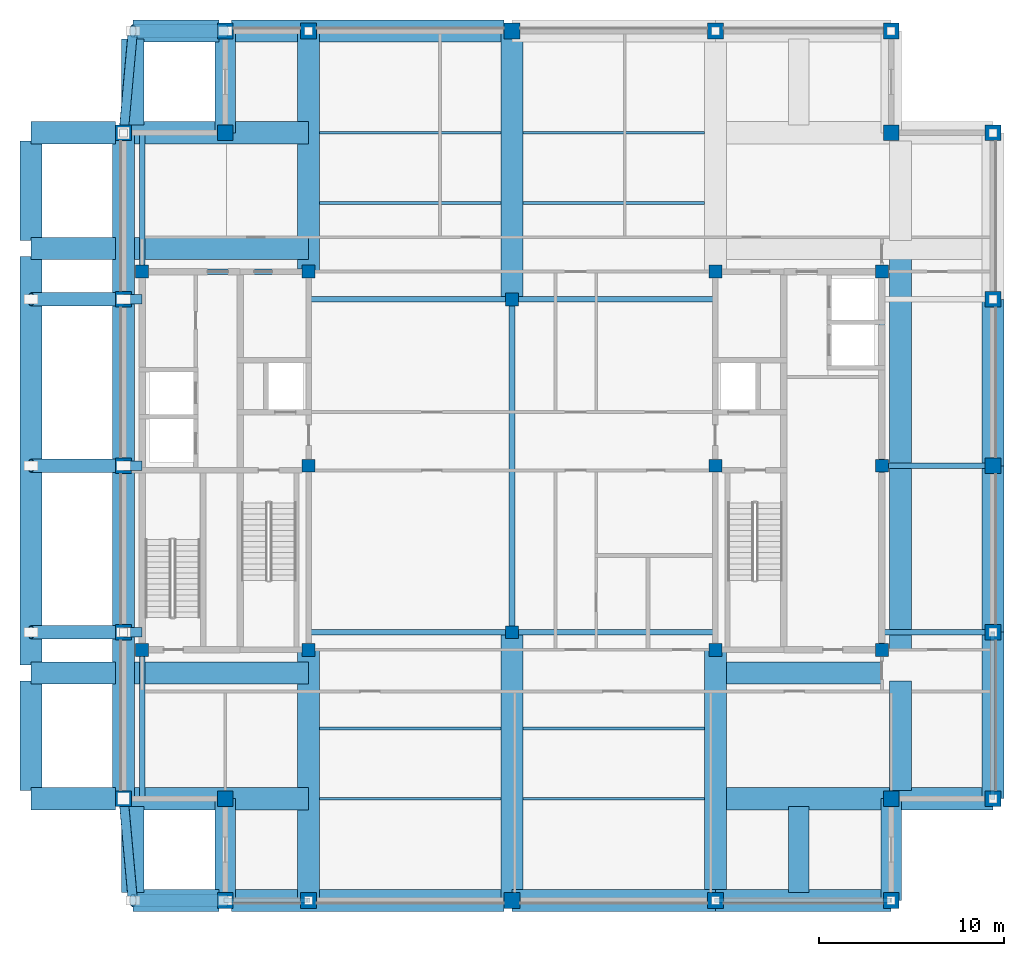
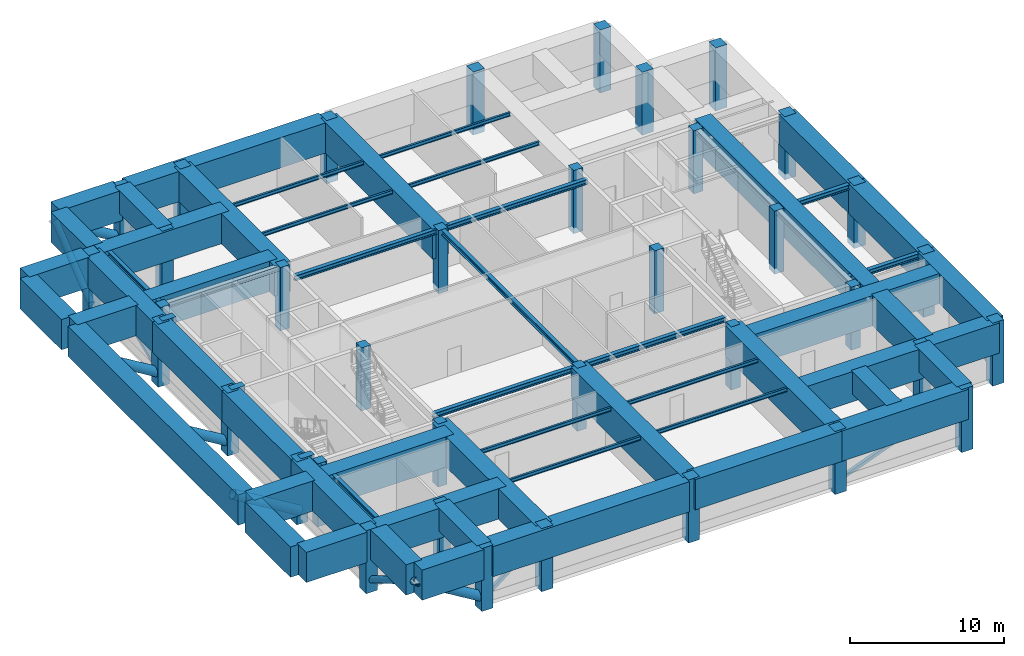
# One storey, part 1 of 11: 62 beams, 37 columns, 13 members.
"""IFC4 building model written with IfcOpenShell, lengths in metres."""

import ifcopenshell
import ifcopenshell.guid

model = None  # the IFC model being written
_history = None  # IfcOwnerHistory: only IFC2X3 demands one
_inside = {}  # id of a spatial element -> (the spatial element, [elements in it])
_under = {}  # id of a project, library or spatial element -> (it, [spatial elements below it])
_declared = {}  # id of a project -> (the project, [libraries it declares])
_typed = {}  # id of a type object -> (the type object, [elements of that type])
_made_of = {}  # id of a material, layer set ... -> (it, [elements and type objects made of it])


def new_model(schema):
    """Start an empty IFC model of exactly this schema.

    Asked for "IFC4X3", IfcOpenShell would pick the latest addendum, in which some entities
    have other attributes; the version numbers below select the first issue.
    IFC2X3 requires an IfcOwnerHistory on every rooted entity: one is made here for all.
    """
    global model, _history
    if schema == "IFC4X3":
        model = ifcopenshell.file(schema_version=(4, 3, 0, 0))
    else:
        model = ifcopenshell.file(schema=schema)
    _inside.clear()
    _under.clear()
    _declared.clear()
    _typed.clear()
    _made_of.clear()
    _history = None
    if model.schema == "IFC2X3":
        org = make("IfcOrganization", Name="unknown")
        user = make(
            "IfcPersonAndOrganization",
            ThePerson=make("IfcPerson", FamilyName="unknown"),
            TheOrganization=org,
        )
        app = make(
            "IfcApplication",
            ApplicationDeveloper=org,
            Version="unknown",
            ApplicationFullName="unknown",
            ApplicationIdentifier="unknown",
        )
        _history = make(
            "IfcOwnerHistory",
            OwningUser=user,
            OwningApplication=app,
            ChangeAction="ADDED",
            CreationDate=0,
        )
    return model


def make(cls, **values):
    """One entity of the class cls with the attributes given. An attribute that is None is left unset."""
    return model.create_entity(
        cls, **{name: value for name, value in values.items() if value is not None}
    )


def rooted(cls, **values):
    """An entity with a GlobalId (a new one), such as an element, a storey or a relation."""
    return make(cls, GlobalId=ifcopenshell.guid.new(), OwnerHistory=_history, **values)


def si_unit(unit_type, name, prefix=None):
    """IfcSIUnit, for example si_unit("LENGTHUNIT", "METRE", prefix="MILLI")."""
    return make("IfcSIUnit", UnitType=unit_type, Prefix=prefix, Name=name)


def assignment(units):
    """IfcUnitAssignment: the units of a project."""
    return None if units is None else make("IfcUnitAssignment", Units=units)


def point(xyz):
    """IfcCartesianPoint."""
    return None if xyz is None else make("IfcCartesianPoint", Coordinates=xyz)


def direction(xyz):
    """IfcDirection."""
    return None if xyz is None else make("IfcDirection", DirectionRatios=xyz)


def frame(location, z_axis=None, x_axis=None):
    """IfcAxis2Placement3D, a coordinate frame: its origin and axes. An axis left out is left unset."""
    return make(
        "IfcAxis2Placement3D",
        Location=point(location),
        Axis=direction(z_axis),
        RefDirection=direction(x_axis),
    )


def frame_2d(location, x_axis=None):
    """IfcAxis2Placement2D, a coordinate frame in the plane: its origin and x axis."""
    return make(
        "IfcAxis2Placement2D", Location=point(location), RefDirection=direction(x_axis)
    )


def origin():
    """The frame at (0, 0, 0) with its axes left unset."""
    return frame((0.0, 0.0, 0.0))


def origin_2d():
    """The frame at (0, 0) in the plane with its x axis left unset."""
    return frame_2d((0.0, 0.0))


def place(relative_to, where):
    """IfcLocalPlacement: puts the frame where relative to a parent placement (None: the world)."""
    return make(
        "IfcLocalPlacement", PlacementRelTo=relative_to, RelativePlacement=where
    )


def context(
    kind, dimensions, precision=None, world=None, true_north=None, identifier=None
):
    """IfcGeometricRepresentationContext, for example the 3D "Model" context."""
    return make(
        "IfcGeometricRepresentationContext",
        ContextIdentifier=identifier,
        ContextType=kind,
        CoordinateSpaceDimension=dimensions,
        Precision=precision,
        WorldCoordinateSystem=world,
        TrueNorth=true_north,
    )


def subcontext(parent, identifier, kind, view, scale=None):
    """IfcGeometricRepresentationSubContext, for example "Body" below "Model"."""
    return make(
        "IfcGeometricRepresentationSubContext",
        ContextIdentifier=identifier,
        ContextType=kind,
        ParentContext=parent,
        TargetScale=scale,
        TargetView=view,
    )


def project(units=None, contexts=None):
    """IfcProject with its units and contexts."""
    return rooted(
        "IfcProject",
        Name="project",
        RepresentationContexts=contexts,
        UnitsInContext=assignment(units),
    )


def spatial(cls, under=None, at=None, **own):
    """A site, building, storey or space (cls), placed at a placement, below another one or the project."""
    s = rooted(cls, ObjectPlacement=at, **own)
    if under is not None:
        _under.setdefault(under.id(), (under, []))[1].append(s)
    return s


def profile(cls, at=None, kind="AREA", **sizes):
    """A parametric profile (cls). Its sizes go by their IFC names, for example OverallWidth=200.0."""
    return make(cls, ProfileType=kind, Position=at, **sizes)


def rectangle(**sizes):
    """IfcRectangleProfileDef."""
    return profile("IfcRectangleProfileDef", **sizes)


def hollow_rectangle(**sizes):
    """IfcRectangleHollowProfileDef."""
    return profile("IfcRectangleHollowProfileDef", **sizes)


def hollow_circle(**sizes):
    """IfcCircleHollowProfileDef."""
    return profile("IfcCircleHollowProfileDef", **sizes)


def i_section(**sizes):
    """IfcIShapeProfileDef."""
    return profile("IfcIShapeProfileDef", **sizes)


def extrude(swept, where, along, depth):
    """IfcExtrudedAreaSolid: the profile swept, set in the frame where, extruded along a direction by depth."""
    return make(
        "IfcExtrudedAreaSolid",
        SweptArea=swept,
        Position=where,
        ExtrudedDirection=direction(along),
        Depth=depth,
    )


def shape(context_of_items, identifier, shape_type, items):
    """IfcShapeRepresentation: the items that make up one representation, for example the "Body"."""
    return make(
        "IfcShapeRepresentation",
        ContextOfItems=context_of_items,
        RepresentationIdentifier=identifier,
        RepresentationType=shape_type,
        Items=items,
    )


def material(Name=None, Category=None):
    """IfcMaterial."""
    return make("IfcMaterial", Name=Name, Category=Category)


def material_profile(
    of_material, cross_section, Name=None, Category=None, Priority=None
):
    """IfcMaterialProfile: a cross section and its material."""
    return make(
        "IfcMaterialProfile",
        Name=Name,
        Material=of_material,
        Profile=cross_section,
        Priority=Priority,
        Category=Category,
    )


def profile_set(profiles, Name=None, composite=None):
    """IfcMaterialProfileSet."""
    return make(
        "IfcMaterialProfileSet",
        Name=Name,
        MaterialProfiles=profiles,
        CompositeProfile=composite,
    )


def made_of(thing, what):
    """Note that an element or type object is made of a material, layer set ...; save() writes the relation."""
    if what is not None:
        _made_of.setdefault(what.id(), (what, []))[1].append(thing)
    return thing


def type_object(cls, material=None, **own):
    """A type object (cls), such as IfcWallType, which elements share."""
    return made_of(rooted(cls, **own), material)


def element(
    cls,
    number,
    at=None,
    inside=None,
    cuts=None,
    type_object=None,
    material=None,
    context=None,
    identifier="Body",
    shape_type=None,
    held_by="IfcProductDefinitionShape",
    body=None,
    shapes=None,
    **own,
):
    """One element of the class cls, such as IfcWall. Its Tag is "e" and its number.

    at: its placement. inside: the storey or other place that contains it. cuts: it is an
    opening in that element (IfcRelVoidsElement). A single representation is given by context,
    identifier, shape_type and body (its items); several are given by shapes. held_by: the class
    of the entity that holds the representations. save() writes the other relations.
    """
    e = rooted(cls, Tag="e%d" % number, ObjectPlacement=at, **own)
    if body is not None:
        shapes = [shape(context, identifier, shape_type, body)]
    if shapes is not None:
        e.Representation = make(held_by, Representations=shapes)
    if inside is not None:
        _inside.setdefault(inside.id(), (inside, []))[1].append(e)
    if cuts is not None:
        rooted(
            "IfcRelVoidsElement", RelatingBuildingElement=cuts, RelatedOpeningElement=e
        )
    if type_object is not None:
        _typed.setdefault(type_object.id(), (type_object, []))[1].append(e)
    return made_of(e, material)


def aggregate(whole, parts):
    """IfcRelAggregates: a whole, such as a stair, and the parts it consists of."""
    return rooted("IfcRelAggregates", RelatingObject=whole, RelatedObjects=parts)


def save(model, path):
    """Write the relations noted so far, then the file.

    IfcRelAggregates (storeys below a building ...), IfcRelContainedInSpatialStructure (elements
    in a storey), IfcRelDefinesByType, IfcRelAssociatesMaterial and IfcRelDeclares: one each for
    every whole, place, type object, material and project.
    """
    for whole, parts in _under.values():
        aggregate(whole, parts)
    for where, things in _inside.values():
        rooted(
            "IfcRelContainedInSpatialStructure",
            RelatedElements=things,
            RelatingStructure=where,
        )
    for kind, things in _typed.values():
        rooted("IfcRelDefinesByType", RelatedObjects=things, RelatingType=kind)
    for what, things in _made_of.values():
        rooted("IfcRelAssociatesMaterial", RelatedObjects=things, RelatingMaterial=what)
    for by, libraries in _declared.values():
        rooted("IfcRelDeclares", RelatingContext=by, RelatedDefinitions=libraries)
    model.write(path)


model = new_model("IFC4")

# Units and contexts
model_context = context("Model", 3, precision=1e-05, world=origin(), true_north=direction((0.0, 1.0)))
body_context = subcontext(model_context, "Body", "Model", "MODEL_VIEW")
ifc_project = project(units=[si_unit("LENGTHUNIT", "METRE"), si_unit("AREAUNIT", "SQUARE_METRE"), si_unit("VOLUMEUNIT", "CUBIC_METRE"), si_unit("PLANEANGLEUNIT", "RADIAN"), si_unit("MASSUNIT", "GRAM", prefix="KILO")], contexts=[model_context])

# Site, building, storey
site_placement = place(None, origin())
site = spatial("IfcSite", under=ifc_project, at=site_placement, CompositionType="ELEMENT")
building_placement = place(site_placement, origin())
building = spatial("IfcBuilding", under=site, at=building_placement, Name="Zulmaris Gate Convention Tower", CompositionType="ELEMENT")
storey_placement = place(building_placement, frame((0.0, 0.0, 249.429931640625)))
storey = spatial("IfcBuildingStorey", under=building, at=storey_placement, Name="L66", CompositionType="ELEMENT", Elevation=249.429931640625)

# Columns
ifc_material_1 = material(Name="Concrete C50/60", Category="concrete")
ifc_material_profile_1 = material_profile(ifc_material_1, rectangle(XDim=0.699951171875, YDim=0.699951171875, at=origin_2d()), Name="RC COL 700x700")
ifc_profile_set_1 = profile_set([ifc_material_profile_1], Name="Concrete C50/60")
column_type_1 = type_object("IfcColumnType", Name="COL-RC700", PredefinedType="COLUMN", material=ifc_profile_set_1)
for number, where, z_axis, x_axis, name in (
    (1, (-20.0, -9.949951171875, -0.425048828125), (0.0, 0.0, 1.0), (1.0, 0.0, 0.0), "L66 Column IN--20.00_-9.95"),
    (2, (-20.0, 10.5, -0.425048828125), (0.0, 0.0, 1.0), (1.0, 0.0, 0.0), "L66 Column IN--20.00_+10.50"),
    (3, (-11.0, -9.949951171875, -0.425048828125), (0.0, 0.0, 1.0), (1.0, 0.0, 0.0), "L66 Column IN--11.00_-9.95"),
    (4, (-11.0, 0.0, -0.425048828125), (0.0, 0.0, 1.0), (1.0, 0.0, 0.0), "L66 Column IN--11.00_+0.00"),
    (5, (-11.0, 10.5, -0.425048828125), (0.0, 0.0, 1.0), (1.0, 0.0, 0.0), "L66 Column IN--11.00_+10.50"),
    (6, (11.0, -9.949951171875, -0.425048828125), (0.0, 0.0, 1.0), (1.0, 0.0, 0.0), "L66 Column IN-+11.00_-9.95"),
    (7, (11.0, 0.0, -0.425048828125), (0.0, 0.0, 1.0), (1.0, 0.0, 0.0), "L66 Column IN-+11.00_+0.00"),
    (8, (11.0, 10.5, -0.425048828125), (0.0, 0.0, 1.0), (1.0, 0.0, 0.0), "L66 Column IN-+11.00_+10.50"),
    (9, (20.0, -9.949951171875, -0.425048828125), (0.0, 0.0, 1.0), (1.0, 0.0, 0.0), "L66 Column IN-+20.00_-9.95"),
    (10, (20.0, 10.5, -0.425048828125), (0.0, 0.0, 1.0), (1.0, 0.0, 0.0), "L66 Column IN-+20.00_+10.50"),
    (11, (0.0, -9.0, -0.425048828125), (0.0, 0.0, 1.0), (1.0, 0.0, 0.0), "L66 Column IN-+0.00_-9.00"),
    (12, (0.0, 9.0, -0.425048828125), (0.0, 0.0, 1.0), (1.0, 0.0, 0.0), "L66 Column IN-+0.00_+9.00"),
    (13, (20.0, 0.0, -0.425048828125), (0.0, 0.0, 1.0), (1.0, 0.0, 0.0), "L66 Column IN-+20.00_+0.00"),
):
    element("IfcColumn", number, at=place(storey_placement, frame(where, z_axis=z_axis, x_axis=x_axis)), inside=storey, type_object=column_type_1, Name=name, PredefinedType="COLUMN", context=body_context, shape_type="SweptSolid", body=[
        extrude(rectangle(XDim=0.699951171875, YDim=0.699951171875, at=origin_2d()), origin(), (0.0, 0.0, 1.0), 5.0),
    ])
ifc_material_2 = material(Name="Concrete C60/75", Category="concrete")
ifc_material_profile_2 = material_profile(ifc_material_2, rectangle(XDim=0.85009765625, YDim=0.85009765625, at=origin_2d()), Name="RC COL 850x850")
ifc_profile_set_2 = profile_set([ifc_material_profile_2], Name="Concrete C60/75")
column_type_2 = type_object("IfcColumnType", Name="COL-RC850", PredefinedType="COLUMN", material=ifc_profile_set_2)
for number, where, z_axis, x_axis, name in (
    (14, (-15.5, -23.5, -0.425048828125), (0.0, 0.0, 1.0), (1.0, 0.0, 0.0), "L66 Column PT--15.50_-23.50"),
    (15, (-11.0, -23.5, -0.425048828125), (0.0, 0.0, 1.0), (1.0, 0.0, 0.0), "L66 Column PT--11.00_-23.50"),
    (16, (0.0, -23.5, -0.425048828125), (0.0, 0.0, 1.0), (1.0, 0.0, 0.0), "L66 Column PT-+0.00_-23.50"),
    (17, (11.0, -23.5, -0.425048828125), (0.0, 0.0, 1.0), (1.0, 0.0, 0.0), "L66 Column PT-+11.00_-23.50"),
    (18, (20.5, -23.5, -0.425048828125), (0.0, 0.0, 1.0), (1.0, 0.0, 0.0), "L66 Column PT-+20.50_-23.50"),
    (19, (-15.5, 23.5, -0.425048828125), (0.0, 0.0, 1.0), (1.0, 0.0, 0.0), "L66 Column PT--15.50_+23.50"),
    (20, (-11.0, 23.5, -0.425048828125), (0.0, 0.0, 1.0), (1.0, 0.0, 0.0), "L66 Column PT--11.00_+23.50"),
    (21, (0.0, 23.5, -0.425048828125), (0.0, 0.0, 1.0), (1.0, 0.0, 0.0), "L66 Column PT-+0.00_+23.50"),
    (22, (11.0, 23.5, -0.425048828125), (0.0, 0.0, 1.0), (1.0, 0.0, 0.0), "L66 Column PT-+11.00_+23.50"),
    (23, (20.5, 23.5, -0.425048828125), (0.0, 0.0, 1.0), (1.0, 0.0, 0.0), "L66 Column PT-+20.50_+23.50"),
    (24, (-21.0, -18.0, -0.425048828125), (0.0, 0.0, 1.0), (1.0, 0.0, 0.0), "L66 Column PT--21.00_-18.00"),
    (25, (-21.0, -9.0, -0.425048828125), (0.0, 0.0, 1.0), (1.0, 0.0, 0.0), "L66 Column PT--21.00_-9.00"),
    (26, (-21.0, 0.0, -0.425048828125), (0.0, 0.0, 1.0), (1.0, 0.0, 0.0), "L66 Column PT--21.00_+0.00"),
    (27, (-21.0, 9.0, -0.425048828125), (0.0, 0.0, 1.0), (1.0, 0.0, 0.0), "L66 Column PT--21.00_+9.00"),
    (28, (-21.0, 18.0, -0.425048828125), (0.0, 0.0, 1.0), (1.0, 0.0, 0.0), "L66 Column PT--21.00_+18.00"),
    (29, (26.0, -18.0, -0.425048828125), (0.0, 0.0, 1.0), (1.0, 0.0, 0.0), "L66 Column PT-+26.00_-18.00"),
    (30, (26.0, -9.0, -0.425048828125), (0.0, 0.0, 1.0), (1.0, 0.0, 0.0), "L66 Column PT-+26.00_-9.00"),
    (31, (26.0, 0.0, -0.425048828125), (0.0, 0.0, 1.0), (1.0, 0.0, 0.0), "L66 Column PT-+26.00_+0.00"),
    (32, (26.0, 9.0, -0.425048828125), (0.0, 0.0, 1.0), (1.0, 0.0, 0.0), "L66 Column PT-+26.00_+9.00"),
    (33, (26.0, 18.0, -0.425048828125), (0.0, 0.0, 1.0), (1.0, 0.0, 0.0), "L66 Column PT-+26.00_+18.00"),
    (34, (-15.5, -18.0, -0.425048828125), (0.0, 0.0, 1.0), (1.0, 0.0, 0.0), "L66 Column PT--15.50_-18.00"),
    (35, (20.5, -18.0, -0.425048828125), (0.0, 0.0, 1.0), (1.0, 0.0, 0.0), "L66 Column PT-+20.50_-18.00"),
    (36, (20.5, 18.0, -0.425048828125), (0.0, 0.0, 1.0), (1.0, 0.0, 0.0), "L66 Column PT-+20.50_+18.00"),
    (37, (-15.5, 18.0, -0.425048828125), (0.0, 0.0, 1.0), (1.0, 0.0, 0.0), "L66 Column PT--15.50_+18.00"),
):
    element("IfcColumn", number, at=place(storey_placement, frame(where, z_axis=z_axis, x_axis=x_axis)), inside=storey, type_object=column_type_2, Name=name, PredefinedType="COLUMN", context=body_context, shape_type="SweptSolid", body=[
        extrude(rectangle(XDim=0.85009765625, YDim=0.85009765625, at=origin_2d()), origin(), (0.0, 0.0, 1.0), 5.0),
    ])

# Beams
ifc_material_3 = material(Name="Steel S355", Category="steel")
ifc_material_profile_3 = material_profile(ifc_material_3, i_section(OverallWidth=0.300048828125, OverallDepth=0.39990234375, WebThickness=0.013427734375, FlangeThickness=0.02392578125, FilletRadius=0.027099609375, at=origin_2d()), Name="HEB 400")
ifc_profile_set_3 = profile_set([ifc_material_profile_3], Name="Steel S355")
beam_type_1 = type_object("IfcBeamType", Name="BM-HEB400", PredefinedType="BEAM", material=ifc_profile_set_3)
for number, where, z_axis, x_axis, name in (
    (38, (-11.0, -9.0, 4.373046875), (1.0, 0.0, 0.0), (0.0, 1.0, 0.0), "L66 Beam BM-L66-G01"),
    (39, (0.0, -9.0, 4.373046875), (1.0, 0.0, 0.0), (0.0, 1.0, 0.0), "L66 Beam BM-L66-G02"),
    (40, (-11.0, 9.0, 4.373046875), (1.0, 0.0, 0.0), (0.0, 1.0, 0.0), "L66 Beam BM-L66-G03"),
    (41, (0.0, 9.0, 4.373046875), (1.0, 0.0, 0.0), (0.0, 1.0, 0.0), "L66 Beam BM-L66-G04"),
):
    element("IfcBeam", number, at=place(storey_placement, frame(where, z_axis=z_axis, x_axis=x_axis)), inside=storey, type_object=beam_type_1, Name=name, PredefinedType="BEAM", context=body_context, shape_type="SweptSolid", body=[
        extrude(i_section(OverallWidth=0.300048828125, OverallDepth=0.39990234375, WebThickness=0.013427734375, FlangeThickness=0.02392578125, FilletRadius=0.027099609375, at=origin_2d()), origin(), (0.0, 0.0, 1.0), 11.0),
    ])
beam_1_placement = place(storey_placement, frame((0.0, -9.0, 4.373046875), z_axis=(0.0, 1.0, 0.0), x_axis=(-1.0, 0.0, 0.0)))
element("IfcBeam", 42, at=beam_1_placement, inside=storey, type_object=beam_type_1, Name="L66 Beam BM-L66-G06", PredefinedType="BEAM", context=body_context, shape_type="SweptSolid", body=[
    extrude(i_section(OverallWidth=0.300048828125, OverallDepth=0.39990234375, WebThickness=0.013427734375, FlangeThickness=0.02392578125, FilletRadius=0.027099609375, at=origin_2d()), origin(), (0.0, 0.0, 1.0), 18.0),
])
beam_2_placement = place(storey_placement, frame((-20.0, -18.0, 4.373046875), z_axis=(0.0, 1.0, 0.0), x_axis=(-1.0, 0.0, 0.0)))
element("IfcBeam", 43, at=beam_2_placement, inside=storey, type_object=beam_type_1, Name="L66 Beam BM-L66-G12", PredefinedType="BEAM", context=body_context, shape_type="SweptSolid", body=[
    extrude(i_section(OverallWidth=0.300048828125, OverallDepth=0.39990234375, WebThickness=0.013427734375, FlangeThickness=0.02392578125, FilletRadius=0.027099609375, at=origin_2d()), origin(), (0.0, 0.0, 1.0), 8.050048828125),
])
beam_3_placement = place(storey_placement, frame((-20.0, 10.5, 4.373046875), z_axis=(0.0, 1.0, 0.0), x_axis=(-1.0, 0.0, 0.0)))
element("IfcBeam", 44, at=beam_3_placement, inside=storey, type_object=beam_type_1, Name="L66 Beam BM-L66-G13", PredefinedType="BEAM", context=body_context, shape_type="SweptSolid", body=[
    extrude(i_section(OverallWidth=0.300048828125, OverallDepth=0.39990234375, WebThickness=0.013427734375, FlangeThickness=0.02392578125, FilletRadius=0.027099609375, at=origin_2d()), origin(), (0.0, 0.0, 1.0), 7.5),
])
for number, where, z_axis, x_axis, name in (
    (45, (20.0, -9.0, 4.337890625), (1.0, 0.0, 0.0), (0.0, 1.0, 0.0), "L66 Beam BM-L66-G19"),
    (46, (20.0, 0.0, 4.337890625), (1.0, 0.0, 0.0), (0.0, 1.0, 0.0), "L66 Beam BM-L66-G20"),
):
    element("IfcBeam", number, at=place(storey_placement, frame(where, z_axis=z_axis, x_axis=x_axis)), inside=storey, type_object=beam_type_1, Name=name, PredefinedType="BEAM", context=body_context, shape_type="SweptSolid", body=[
        extrude(i_section(OverallWidth=0.300048828125, OverallDepth=0.39990234375, WebThickness=0.013427734375, FlangeThickness=0.02392578125, FilletRadius=0.027099609375, at=origin_2d()), origin(), (0.0, 0.0, 1.0), 6.0),
    ])
beam_4_placement = place(storey_placement, frame((-20.0, 10.5, 4.373046875), z_axis=(1.0, 0.0, 0.0), x_axis=(0.0, 1.0, 0.0)))
element("IfcBeam", 47, at=beam_4_placement, inside=storey, type_object=beam_type_1, Name="L66 Beam BM-L66-G23", PredefinedType="BEAM", context=body_context, shape_type="SweptSolid", body=[
    extrude(i_section(OverallWidth=0.300048828125, OverallDepth=0.39990234375, WebThickness=0.013427734375, FlangeThickness=0.02392578125, FilletRadius=0.027099609375, at=origin_2d()), origin(), (0.0, 0.0, 1.0), 9.0),
])
beam_5_placement = place(storey_placement, frame((20.0, -9.949951171875, 4.373046875), z_axis=(0.0, 1.0, 0.0), x_axis=(-1.0, 0.0, 0.0)))
element("IfcBeam", 48, at=beam_5_placement, inside=storey, type_object=beam_type_1, Name="L66 Beam BM-L66-G28", PredefinedType="BEAM", context=body_context, shape_type="SweptSolid", body=[
    extrude(i_section(OverallWidth=0.300048828125, OverallDepth=0.39990234375, WebThickness=0.013427734375, FlangeThickness=0.02392578125, FilletRadius=0.027099609375, at=origin_2d()), origin(), (0.0, 0.0, 1.0), 9.949951171875),
])
beam_6_placement = place(storey_placement, frame((20.0, 0.0, 4.373046875), z_axis=(0.0, 1.0, 0.0), x_axis=(-1.0, 0.0, 0.0)))
element("IfcBeam", 49, at=beam_6_placement, inside=storey, type_object=beam_type_1, Name="L66 Beam BM-L66-G29", PredefinedType="BEAM", context=body_context, shape_type="SweptSolid", body=[
    extrude(i_section(OverallWidth=0.300048828125, OverallDepth=0.39990234375, WebThickness=0.013427734375, FlangeThickness=0.02392578125, FilletRadius=0.027099609375, at=origin_2d()), origin(), (0.0, 0.0, 1.0), 10.5),
])
ifc_material_profile_4 = material_profile(ifc_material_1, rectangle(XDim=0.5, YDim=0.800048828125, at=origin_2d()), Name="RC BEAM 500x800")
ifc_profile_set_4 = profile_set([ifc_material_profile_4], Name="Concrete C50/60")
beam_type_2 = type_object("IfcBeamType", Name="BM-RC500x800", PredefinedType="BEAM", material=ifc_profile_set_4)
for number, where, z_axis, x_axis, name in (
    (50, (-21.0, -9.0, 4.175048828125), (1.0, 0.0, 0.0), (0.0, 1.0, 0.0), "L66 Beam BM-L66-G16"),
    (51, (-21.0, 0.0, 4.175048828125), (1.0, 0.0, 0.0), (0.0, 1.0, 0.0), "L66 Beam BM-L66-G17"),
    (52, (-21.0, 9.0, 4.175048828125), (1.0, 0.0, 0.0), (0.0, 1.0, 0.0), "L66 Beam BM-L66-G18"),
):
    element("IfcBeam", number, at=place(storey_placement, frame(where, z_axis=z_axis, x_axis=x_axis)), inside=storey, type_object=beam_type_2, Name=name, PredefinedType="BEAM", context=body_context, shape_type="SweptSolid", body=[
        extrude(rectangle(XDim=0.5, YDim=0.800048828125, at=origin_2d()), origin(), (0.0, 0.0, 1.0), 1.0),
    ])
ifc_material_4 = material(Name="Concrete C80/95", Category="concrete")
ifc_material_profile_5 = material_profile(ifc_material_4, rectangle(XDim=1.10009765625, YDim=1.800048828125, at=origin_2d()), Name="RC TRANSFER 1100x1800")
ifc_profile_set_5 = profile_set([ifc_material_profile_5], Name="Concrete C80/95")
beam_type_3 = type_object("IfcBeamType", Name="BM-XFER1800", PredefinedType="BEAM", material=ifc_profile_set_5)
for number, where, z_axis, x_axis, name in (
    (53, (-15.5, -23.5, 3.675048828125), (0.0, 1.0, 0.0), (-1.0, 0.0, 0.0), "L66 Beam XFCOLV-L66-CXWS"),
    (54, (-15.5, 18.0, 3.675048828125), (0.0, 1.0, 0.0), (-1.0, 0.0, 0.0), "L66 Beam XFCOLV-L66-CXWN"),
    (55, (20.5, -23.5, 3.675048828125), (0.0, 1.0, 0.0), (-1.0, 0.0, 0.0), "L66 Beam XFCOLV-L66-CXES"),
):
    element("IfcBeam", number, at=place(storey_placement, frame(where, z_axis=z_axis, x_axis=x_axis)), inside=storey, type_object=beam_type_3, Name=name, PredefinedType="BEAM", context=body_context, shape_type="SweptSolid", body=[
        extrude(rectangle(XDim=1.10009765625, YDim=1.800048828125, at=origin_2d()), origin(), (0.0, 0.0, 1.0), 5.5),
    ])
beam_7_placement = place(storey_placement, frame((15.5, -23.06494140625, 3.675048828125), z_axis=(0.0, 1.0, 0.0), x_axis=(-1.0, 0.0, 0.0)))
element("IfcBeam", 56, at=beam_7_placement, inside=storey, type_object=beam_type_3, Name="L66 Beam XFNCH-L66-EC--18.0", PredefinedType="BEAM", context=body_context, shape_type="SweptSolid", body=[
    extrude(rectangle(XDim=1.10009765625, YDim=1.800048828125, at=origin_2d()), origin(), (0.0, 0.0, 1.0), 4.6298828125),
])
ifc_material_profile_6 = material_profile(ifc_material_4, rectangle(XDim=1.199951171875, YDim=2.39990234375, at=origin_2d()), Name="RC TRANSFER 1200x2400")
ifc_profile_set_6 = profile_set([ifc_material_profile_6], Name="Concrete C80/95")
beam_type_4 = type_object("IfcBeamType", Name="BM-XFER2400", PredefinedType="BEAM", material=ifc_profile_set_6)
for number, where, z_axis, x_axis, name in (
    (57, (-21.0, -18.0, 3.375), (0.0, 1.0, 0.0), (-1.0, 0.0, 0.0), "L66 Beam XFCOLV-L66-XWS"),
    (58, (-21.0, -9.0, 3.375), (0.0, 1.0, 0.0), (-1.0, 0.0, 0.0), "L66 Beam XFCOLV-L66-XWM1"),
    (59, (-21.0, 0.0, 3.375), (0.0, 1.0, 0.0), (-1.0, 0.0, 0.0), "L66 Beam XFCOLV-L66-XWM2"),
    (60, (-21.0, 9.0, 3.375), (0.0, 1.0, 0.0), (-1.0, 0.0, 0.0), "L66 Beam XFCOLV-L66-XWN"),
    (61, (26.0, -18.0, 3.375), (0.0, 1.0, 0.0), (-1.0, 0.0, 0.0), "L66 Beam XFCOLV-L66-XES"),
    (62, (26.0, -9.0, 3.375), (0.0, 1.0, 0.0), (-1.0, 0.0, 0.0), "L66 Beam XFCOLV-L66-XEM1"),
    (63, (26.0, 0.0, 3.375), (0.0, 1.0, 0.0), (-1.0, 0.0, 0.0), "L66 Beam XFCOLV-L66-XEM2"),
):
    element("IfcBeam", number, at=place(storey_placement, frame(where, z_axis=z_axis, x_axis=x_axis)), inside=storey, type_object=beam_type_4, Name=name, PredefinedType="BEAM", context=body_context, shape_type="SweptSolid", body=[
        extrude(rectangle(XDim=1.199951171875, YDim=2.39990234375, at=origin_2d()), origin(), (0.0, 0.0, 1.0), 9.0),
    ])
beam_8_placement = place(storey_placement, frame((-11.0, -23.5, 3.375), z_axis=(0.0, 1.0, 0.0), x_axis=(-1.0, 0.0, 0.0)))
element("IfcBeam", 64, at=beam_8_placement, inside=storey, type_object=beam_type_4, Name="L66 Beam XFCOLV-L66-C11WS", PredefinedType="BEAM", context=body_context, shape_type="SweptSolid", body=[
    extrude(rectangle(XDim=1.199951171875, YDim=2.39990234375, at=origin_2d()), origin(), (0.0, 0.0, 1.0), 13.550048828125),
])
beam_9_placement = place(storey_placement, frame((-11.0, 10.5, 3.375), z_axis=(0.0, 1.0, 0.0), x_axis=(-1.0, 0.0, 0.0)))
element("IfcBeam", 65, at=beam_9_placement, inside=storey, type_object=beam_type_4, Name="L66 Beam XFCOLV-L66-C11WN", PredefinedType="BEAM", context=body_context, shape_type="SweptSolid", body=[
    extrude(rectangle(XDim=1.199951171875, YDim=2.39990234375, at=origin_2d()), origin(), (0.0, 0.0, 1.0), 13.0),
])
beam_10_placement = place(storey_placement, frame((11.0, -23.5, 3.375), z_axis=(0.0, 1.0, 0.0), x_axis=(-1.0, 0.0, 0.0)))
element("IfcBeam", 66, at=beam_10_placement, inside=storey, type_object=beam_type_4, Name="L66 Beam XFCOLV-L66-C11ES", PredefinedType="BEAM", context=body_context, shape_type="SweptSolid", body=[
    extrude(rectangle(XDim=1.199951171875, YDim=2.39990234375, at=origin_2d()), origin(), (0.0, 0.0, 1.0), 13.550048828125),
])
for number, where, z_axis, x_axis, name in (
    (67, (0.0, -23.5, 3.375), (0.0, 1.0, 0.0), (-1.0, 0.0, 0.0), "L66 Beam XFCOLV-L66-C0S"),
    (68, (0.0, 9.0, 3.375), (0.0, 1.0, 0.0), (-1.0, 0.0, 0.0), "L66 Beam XFCOLV-L66-C0N"),
):
    element("IfcBeam", number, at=place(storey_placement, frame(where, z_axis=z_axis, x_axis=x_axis)), inside=storey, type_object=beam_type_4, Name=name, PredefinedType="BEAM", context=body_context, shape_type="SweptSolid", body=[
        extrude(rectangle(XDim=1.199951171875, YDim=2.39990234375, at=origin_2d()), origin(), (0.0, 0.0, 1.0), 14.5),
    ])
beam_11_placement = place(storey_placement, frame((-20.56494140625, -18.0, 3.375), z_axis=(1.0, 0.0, 0.0), x_axis=(0.0, 1.0, 0.0)))
element("IfcBeam", 69, at=beam_11_placement, inside=storey, type_object=beam_type_4, Name="L66 Beam XFBS-L66-W--18.00", PredefinedType="BEAM", context=body_context, shape_type="SweptSolid", body=[
    extrude(rectangle(XDim=1.199951171875, YDim=2.39990234375, at=origin_2d()), origin(), (0.0, 0.0, 1.0), 9.56494140625),
])
beam_12_placement = place(storey_placement, frame((-26.0, -18.0, 3.375), z_axis=(1.0, 0.0, 0.0), x_axis=(0.0, 1.0, 0.0)))
element("IfcBeam", 70, at=beam_12_placement, inside=storey, type_object=beam_type_4, Name="L66 Beam XFSF-L66-W--18.00", PredefinedType="BEAM", context=body_context, shape_type="SweptSolid", body=[
    extrude(rectangle(XDim=1.199951171875, YDim=2.39990234375, at=origin_2d()), origin(), (0.0, 0.0, 1.0), 4.56494140625),
])
beam_13_placement = place(storey_placement, frame((-20.56494140625, -11.199951171875, 3.375), z_axis=(1.0, 0.0, 0.0), x_axis=(0.0, 1.0, 0.0)))
element("IfcBeam", 71, at=beam_13_placement, inside=storey, type_object=beam_type_4, Name="L66 Beam XFBS-L66-W--11.20", PredefinedType="BEAM", context=body_context, shape_type="SweptSolid", body=[
    extrude(rectangle(XDim=1.199951171875, YDim=2.39990234375, at=origin_2d()), origin(), (0.0, 0.0, 1.0), 9.56494140625),
])
beam_14_placement = place(storey_placement, frame((-26.0, -11.199951171875, 3.375), z_axis=(1.0, 0.0, 0.0), x_axis=(0.0, 1.0, 0.0)))
element("IfcBeam", 72, at=beam_14_placement, inside=storey, type_object=beam_type_4, Name="L66 Beam XFSF-L66-W--11.20", PredefinedType="BEAM", context=body_context, shape_type="SweptSolid", body=[
    extrude(rectangle(XDim=1.199951171875, YDim=2.39990234375, at=origin_2d()), origin(), (0.0, 0.0, 1.0), 4.56494140625),
])
beam_15_placement = place(storey_placement, frame((-20.56494140625, 11.75, 3.375), z_axis=(1.0, 0.0, 0.0), x_axis=(0.0, 1.0, 0.0)))
element("IfcBeam", 73, at=beam_15_placement, inside=storey, type_object=beam_type_4, Name="L66 Beam XFBS-L66-W-+11.75", PredefinedType="BEAM", context=body_context, shape_type="SweptSolid", body=[
    extrude(rectangle(XDim=1.199951171875, YDim=2.39990234375, at=origin_2d()), origin(), (0.0, 0.0, 1.0), 9.56494140625),
])
beam_16_placement = place(storey_placement, frame((-26.0, 11.75, 3.375), z_axis=(1.0, 0.0, 0.0), x_axis=(0.0, 1.0, 0.0)))
element("IfcBeam", 74, at=beam_16_placement, inside=storey, type_object=beam_type_4, Name="L66 Beam XFSF-L66-W-+11.75", PredefinedType="BEAM", context=body_context, shape_type="SweptSolid", body=[
    extrude(rectangle(XDim=1.199951171875, YDim=2.39990234375, at=origin_2d()), origin(), (0.0, 0.0, 1.0), 4.56494140625),
])
beam_17_placement = place(storey_placement, frame((-20.56494140625, 18.0, 3.375), z_axis=(1.0, 0.0, 0.0), x_axis=(0.0, 1.0, 0.0)))
element("IfcBeam", 75, at=beam_17_placement, inside=storey, type_object=beam_type_4, Name="L66 Beam XFBS-L66-W-+18.00", PredefinedType="BEAM", context=body_context, shape_type="SweptSolid", body=[
    extrude(rectangle(XDim=1.199951171875, YDim=2.39990234375, at=origin_2d()), origin(), (0.0, 0.0, 1.0), 9.56494140625),
])
beam_18_placement = place(storey_placement, frame((-26.0, 18.0, 3.375), z_axis=(1.0, 0.0, 0.0), x_axis=(0.0, 1.0, 0.0)))
element("IfcBeam", 76, at=beam_18_placement, inside=storey, type_object=beam_type_4, Name="L66 Beam XFSF-L66-W-+18.00", PredefinedType="BEAM", context=body_context, shape_type="SweptSolid", body=[
    extrude(rectangle(XDim=1.199951171875, YDim=2.39990234375, at=origin_2d()), origin(), (0.0, 0.0, 1.0), 4.56494140625),
])
beam_19_placement = place(storey_placement, frame((-26.0, -17.56494140625, 3.375), z_axis=(0.0, 1.0, 0.0), x_axis=(-1.0, 0.0, 0.0)))
element("IfcBeam", 77, at=beam_19_placement, inside=storey, type_object=beam_type_4, Name="L66 Beam XFEDG-L66-WS", PredefinedType="BEAM", context=body_context, shape_type="SweptSolid", body=[
    extrude(rectangle(XDim=1.199951171875, YDim=2.39990234375, at=origin_2d()), origin(), (0.0, 0.0, 1.0), 5.929931640625),
])
beam_20_placement = place(storey_placement, frame((-26.0, -10.764892578125, 3.375), z_axis=(0.0, 1.0, 0.0), x_axis=(-1.0, 0.0, 0.0)))
element("IfcBeam", 78, at=beam_20_placement, inside=storey, type_object=beam_type_4, Name="L66 Beam XFEDG-L66-WM", PredefinedType="BEAM", context=body_context, shape_type="SweptSolid", body=[
    extrude(rectangle(XDim=1.199951171875, YDim=2.39990234375, at=origin_2d()), origin(), (0.0, 0.0, 1.0), 22.079833984375),
])
beam_21_placement = place(storey_placement, frame((-26.0, 12.18505859375, 3.375), z_axis=(0.0, 1.0, 0.0), x_axis=(-1.0, 0.0, 0.0)))
element("IfcBeam", 79, at=beam_21_placement, inside=storey, type_object=beam_type_4, Name="L66 Beam XFEDG-L66-WN", PredefinedType="BEAM", context=body_context, shape_type="SweptSolid", body=[
    extrude(rectangle(XDim=1.199951171875, YDim=2.39990234375, at=origin_2d()), origin(), (0.0, 0.0, 1.0), 5.3798828125),
])
beam_22_placement = place(storey_placement, frame((-15.1650390625, -23.5, 3.375), z_axis=(1.0, 0.0, 0.0), x_axis=(0.0, 1.0, 0.0)))
element("IfcBeam", 80, at=beam_22_placement, inside=storey, type_object=beam_type_4, Name="L66 Beam XFBS-L66-WC--23.5", PredefinedType="BEAM", context=body_context, shape_type="SweptSolid", body=[
    extrude(rectangle(XDim=1.199951171875, YDim=2.39990234375, at=origin_2d()), origin(), (0.0, 0.0, 1.0), 14.72998046875),
])
beam_23_placement = place(storey_placement, frame((-20.5, -23.5, 3.375), z_axis=(1.0, 0.0, 0.0), x_axis=(0.0, 1.0, 0.0)))
element("IfcBeam", 81, at=beam_23_placement, inside=storey, type_object=beam_type_4, Name="L66 Beam XFSF-L66-WC--23.5", PredefinedType="BEAM", context=body_context, shape_type="SweptSolid", body=[
    extrude(rectangle(XDim=1.199951171875, YDim=2.39990234375, at=origin_2d()), origin(), (0.0, 0.0, 1.0), 4.6650390625),
])
beam_24_placement = place(storey_placement, frame((-15.1650390625, 23.5, 3.375), z_axis=(1.0, 0.0, 0.0), x_axis=(0.0, 1.0, 0.0)))
element("IfcBeam", 82, at=beam_24_placement, inside=storey, type_object=beam_type_4, Name="L66 Beam XFBS-L66-WC-+23.5", PredefinedType="BEAM", context=body_context, shape_type="SweptSolid", body=[
    extrude(rectangle(XDim=1.199951171875, YDim=2.39990234375, at=origin_2d()), origin(), (0.0, 0.0, 1.0), 14.72998046875),
])
beam_25_placement = place(storey_placement, frame((-20.5, 23.5, 3.375), z_axis=(1.0, 0.0, 0.0), x_axis=(0.0, 1.0, 0.0)))
element("IfcBeam", 83, at=beam_25_placement, inside=storey, type_object=beam_type_4, Name="L66 Beam XFSF-L66-WC-+23.5", PredefinedType="BEAM", context=body_context, shape_type="SweptSolid", body=[
    extrude(rectangle(XDim=1.199951171875, YDim=2.39990234375, at=origin_2d()), origin(), (0.0, 0.0, 1.0), 4.6650390625),
])
for number, where, z_axis, x_axis, name in (
    (84, (11.0, -18.0, 3.375), (1.0, 0.0, 0.0), (0.0, 1.0, 0.0), "L66 Beam XFREC-L66-E--18.00"),
    (85, (11.0, -11.199951171875, 3.375), (1.0, 0.0, 0.0), (0.0, 1.0, 0.0), "L66 Beam XFREC-L66-E--11.20"),
):
    element("IfcBeam", number, at=place(storey_placement, frame(where, z_axis=z_axis, x_axis=x_axis)), inside=storey, type_object=beam_type_4, Name=name, PredefinedType="BEAM", context=body_context, shape_type="SweptSolid", body=[
        extrude(rectangle(XDim=1.199951171875, YDim=2.39990234375, at=origin_2d()), origin(), (0.0, 0.0, 1.0), 15.0),
    ])
beam_26_placement = place(storey_placement, frame((21.0, -17.56494140625, 3.375), z_axis=(0.0, 1.0, 0.0), x_axis=(-1.0, 0.0, 0.0)))
element("IfcBeam", 86, at=beam_26_placement, inside=storey, type_object=beam_type_4, Name="L66 Beam XFEDG-L66-ES", PredefinedType="BEAM", context=body_context, shape_type="SweptSolid", body=[
    extrude(rectangle(XDim=1.199951171875, YDim=2.39990234375, at=origin_2d()), origin(), (0.0, 0.0, 1.0), 5.929931640625),
])
beam_27_placement = place(storey_placement, frame((21.0, -10.764892578125, 3.375), z_axis=(0.0, 1.0, 0.0), x_axis=(-1.0, 0.0, 0.0)))
element("IfcBeam", 87, at=beam_27_placement, inside=storey, type_object=beam_type_4, Name="L66 Beam XFEDG-L66-EM", PredefinedType="BEAM", context=body_context, shape_type="SweptSolid", body=[
    extrude(rectangle(XDim=1.199951171875, YDim=2.39990234375, at=origin_2d()), origin(), (0.0, 0.0, 1.0), 22.079833984375),
])
beam_28_placement = place(storey_placement, frame((11.0, -23.5, 3.375), z_axis=(1.0, 0.0, 0.0), x_axis=(0.0, 1.0, 0.0)))
element("IfcBeam", 88, at=beam_28_placement, inside=storey, type_object=beam_type_4, Name="L66 Beam XFREC-L66-EC--23.5", PredefinedType="BEAM", context=body_context, shape_type="SweptSolid", body=[
    extrude(rectangle(XDim=1.199951171875, YDim=2.39990234375, at=origin_2d()), origin(), (0.0, 0.0, 1.0), 9.5),
])
beam_29_placement = place(storey_placement, frame((0.0, -23.5, 3.375), z_axis=(1.0, 0.0, 0.0), x_axis=(0.0, 1.0, 0.0)))
element("IfcBeam", 89, at=beam_29_placement, inside=storey, type_object=beam_type_4, Name="L66 Beam XFREC-L66-M2--23.5", PredefinedType="BEAM", context=body_context, shape_type="SweptSolid", body=[
    extrude(rectangle(XDim=1.199951171875, YDim=2.39990234375, at=origin_2d()), origin(), (0.0, 0.0, 1.0), 11.0),
])
for number, where, z_axis, x_axis, name in (
    (90, (-20.5, -23.06494140625, 3.375), (0.0, 1.0, 0.0), (-1.0, 0.0, 0.0), "L66 Beam XFNCH-L66-WC--18.0"),
    (91, (-20.5, 18.43505859375, 3.375), (0.0, 1.0, 0.0), (-1.0, 0.0, 0.0), "L66 Beam XFNCH-L66-WC-+18.0"),
):
    element("IfcBeam", number, at=place(storey_placement, frame(where, z_axis=z_axis, x_axis=x_axis)), inside=storey, type_object=beam_type_4, Name=name, PredefinedType="BEAM", context=body_context, shape_type="SweptSolid", body=[
        extrude(rectangle(XDim=1.199951171875, YDim=2.39990234375, at=origin_2d()), origin(), (0.0, 0.0, 1.0), 4.6298828125),
    ])

# Members
ifc_material_5 = material(Name="Steel S460", Category="steel")
ifc_material_profile_7 = material_profile(ifc_material_5, hollow_circle(Radius=0.25390625, WallThickness=0.02490234375, at=origin_2d()), Name="CHS 508x25")
ifc_profile_set_7 = profile_set([ifc_material_profile_7], Name="Steel S460")
member_type_1 = type_object("IfcMemberType", Name="BR-CHS508", PredefinedType="BRACE", material=ifc_profile_set_7)
for number, where, z_axis, x_axis, name in (
    (92, (-21.0, -18.0, 0.349853515625), (0.079403588889, -0.873439477778, 0.480414975548), (0.995893206468, 0.090535746043, 0.0), "L66 Shifted Block Notch Web Strut WC -23.5"),
    (93, (-21.0, 18.0, 0.349853515625), (0.079403588889, 0.873439477778, 0.480414975548), (-0.995893206468, 0.090535746043, 0.0), "L66 Shifted Block Notch Web Strut WC +23.5"),
):
    element("IfcMember", number, at=place(storey_placement, frame(where, z_axis=z_axis, x_axis=x_axis)), inside=storey, type_object=member_type_1, Name=name, PredefinedType="BRACE", context=body_context, shape_type="SweptSolid", body=[
        extrude(hollow_circle(Radius=0.25390625, WallThickness=0.02490234375, at=origin_2d()), origin(), (0.0, 0.0, 1.0), 6.296875),
    ])
ifc_material_profile_8 = material_profile(ifc_material_5, hollow_circle(Radius=0.35546875, WallThickness=0.035888671875, at=origin_2d()), Name="CHS 711x36")
ifc_profile_set_8 = profile_set([ifc_material_profile_8], Name="Steel S460")
member_type_2 = type_object("IfcMemberType", Name="BR-CHS711", PredefinedType="BRACE", material=ifc_profile_set_8)
for number, where, z_axis, x_axis, name in (
    (94, (-21.0, -9.0, 0.349853515625), (-0.855588701888, 0.0, 0.517656230718), (0.0, -1.0, 0.0), "L66 Shifted Block Transfer Raking Strut W -9.0"),
    (95, (-21.0, 0.0, 0.349853515625), (-0.855588701888, 0.0, 0.517656230718), (0.0, -1.0, 0.0), "L66 Shifted Block Transfer Raking Strut W +0.0"),
    (96, (-21.0, 9.0, 0.349853515625), (-0.855588701888, 0.0, 0.517656230718), (0.0, -1.0, 0.0), "L66 Shifted Block Transfer Raking Strut W +9.0"),
    (97, (-15.5, -23.5, 0.349853515625), (-0.855588701888, 0.0, 0.517656230718), (0.0, -1.0, 0.0), "L66 Shifted Block Corner Raking Strut WC -23.5"),
    (98, (-15.5, 23.5, 0.349853515625), (-0.855588701888, 0.0, 0.517656230718), (0.0, -1.0, 0.0), "L66 Shifted Block Corner Raking Strut WC +23.5"),
):
    element("IfcMember", number, at=place(storey_placement, frame(where, z_axis=z_axis, x_axis=x_axis)), inside=storey, type_object=member_type_2, Name=name, PredefinedType="BRACE", context=body_context, shape_type="SweptSolid", body=[
        extrude(hollow_circle(Radius=0.35546875, WallThickness=0.035888671875, at=origin_2d()), origin(), (0.0, 0.0, 1.0), 5.843994140625),
    ])
ifc_material_profile_9 = material_profile(ifc_material_3, hollow_rectangle(XDim=0.25, YDim=0.25, WallThickness=0.012451171875, at=origin_2d()), Name="SHS 250x250x12.5")
ifc_profile_set_9 = profile_set([ifc_material_profile_9], Name="Steel S355")
member_type_3 = type_object("IfcMemberType", Name="BR-SHS250", PredefinedType="BRACE", material=ifc_profile_set_9)
for number, where, z_axis, x_axis, name in (
    (99, (-21.0, -18.0, 0.300048828125), (0.0, 0.926510390677, 0.376269180198), (-1.0, 0.0, 0.0), "L66 Perimeter Tube Diagonal SW-W"),
    (100, (-21.0, 9.0, 0.300048828125), (0.0, 0.926510390677, 0.376269180198), (-1.0, 0.0, 0.0), "L66 Perimeter Tube Diagonal NW-W"),
    (101, (26.0, -18.0, 0.300048828125), (0.0, 0.926510390677, 0.376269180198), (-1.0, 0.0, 0.0), "L66 Perimeter Tube Diagonal SE-E"),
):
    element("IfcMember", number, at=place(storey_placement, frame(where, z_axis=z_axis, x_axis=x_axis)), inside=storey, type_object=member_type_3, Name=name, PredefinedType="BRACE", context=body_context, shape_type="SweptSolid", body=[
        extrude(hollow_rectangle(XDim=0.25, YDim=0.25, WallThickness=0.012451171875, at=origin_2d()), origin(), (0.0, 0.0, 1.0), 9.7138671875),
    ])
member_1_placement = place(storey_placement, frame((-15.5, -23.5, 0.300048828125), z_axis=(0.776217041443, 0.0, 0.630465783824), x_axis=(0.0, 1.0, 0.0)))
element("IfcMember", 102, at=member_1_placement, inside=storey, type_object=member_type_3, Name="L66 Perimeter Tube Diagonal SW-S", PredefinedType="BRACE", context=body_context, shape_type="SweptSolid", body=[
    extrude(hollow_rectangle(XDim=0.25, YDim=0.25, WallThickness=0.012451171875, at=origin_2d()), origin(), (0.0, 0.0, 1.0), 5.79736328125),
])
member_2_placement = place(storey_placement, frame((11.0, -23.5, 0.300048828125), z_axis=(0.933306655897, 0.0, 0.359080333713), x_axis=(0.0, 1.0, 0.0)))
element("IfcMember", 103, at=member_2_placement, inside=storey, type_object=member_type_3, Name="L66 Perimeter Tube Diagonal SE-S", PredefinedType="BRACE", context=body_context, shape_type="SweptSolid", body=[
    extrude(hollow_rectangle(XDim=0.25, YDim=0.25, WallThickness=0.012451171875, at=origin_2d()), origin(), (0.0, 0.0, 1.0), 10.178955078125),
])
member_3_placement = place(storey_placement, frame((-15.5, 23.5, 0.300048828125), z_axis=(0.776217041443, 0.0, 0.630465783824), x_axis=(0.0, 1.0, 0.0)))
element("IfcMember", 104, at=member_3_placement, inside=storey, type_object=member_type_3, Name="L66 Perimeter Tube Diagonal NW-N", PredefinedType="BRACE", context=body_context, shape_type="SweptSolid", body=[
    extrude(hollow_rectangle(XDim=0.25, YDim=0.25, WallThickness=0.012451171875, at=origin_2d()), origin(), (0.0, 0.0, 1.0), 5.79736328125),
])

# Beams
ifc_material_profile_10 = material_profile(ifc_material_3, i_section(OverallWidth=0.14990234375, OverallDepth=0.300048828125, WebThickness=0.007080078125, FlangeThickness=0.0107421875, FilletRadius=0.014892578125, at=origin_2d()), Name="IPE 300")
ifc_profile_set_10 = profile_set([ifc_material_profile_10], Name="Steel S355")
beam_type_5 = type_object("IfcBeamType", Name="JT-IPE300", PredefinedType="JOIST", material=ifc_profile_set_10)
for number, where, z_axis, x_axis, name in (
    (105, (-10.39990234375, -18.0, 4.4228515625), (1.0, 0.0, 0.0), (0.0, 1.0, 0.0), "L66 Joist JT-L66-CW--18.0"),
    (106, (0.60009765625, -18.0, 4.4228515625), (1.0, 0.0, 0.0), (0.0, 1.0, 0.0), "L66 Joist JT-L66-CE--18.0"),
    (107, (-10.39990234375, -14.199951171875, 4.4228515625), (1.0, 0.0, 0.0), (0.0, 1.0, 0.0), "L66 Joist JT-L66-CW--14.2"),
    (108, (0.60009765625, -14.199951171875, 4.4228515625), (1.0, 0.0, 0.0), (0.0, 1.0, 0.0), "L66 Joist JT-L66-CE--14.2"),
    (109, (-10.39990234375, 14.199951171875, 4.4228515625), (1.0, 0.0, 0.0), (0.0, 1.0, 0.0), "L66 Joist JT-L66-CW-+14.2"),
    (110, (0.60009765625, 14.199951171875, 4.4228515625), (1.0, 0.0, 0.0), (0.0, 1.0, 0.0), "L66 Joist JT-L66-CE-+14.2"),
    (111, (-10.39990234375, 18.0, 4.4228515625), (1.0, 0.0, 0.0), (0.0, 1.0, 0.0), "L66 Joist JT-L66-CW-+18.0"),
    (112, (0.60009765625, 18.0, 4.4228515625), (1.0, 0.0, 0.0), (0.0, 1.0, 0.0), "L66 Joist JT-L66-CE-+18.0"),
):
    element("IfcBeam", number, at=place(storey_placement, frame(where, z_axis=z_axis, x_axis=x_axis)), inside=storey, type_object=beam_type_5, Name=name, PredefinedType="JOIST", context=body_context, shape_type="SweptSolid", body=[
        extrude(i_section(OverallWidth=0.14990234375, OverallDepth=0.300048828125, WebThickness=0.007080078125, FlangeThickness=0.0107421875, FilletRadius=0.014892578125, at=origin_2d()), origin(), (0.0, 0.0, 1.0), 9.7998046875),
    ])

save(model, "model.ifc")
